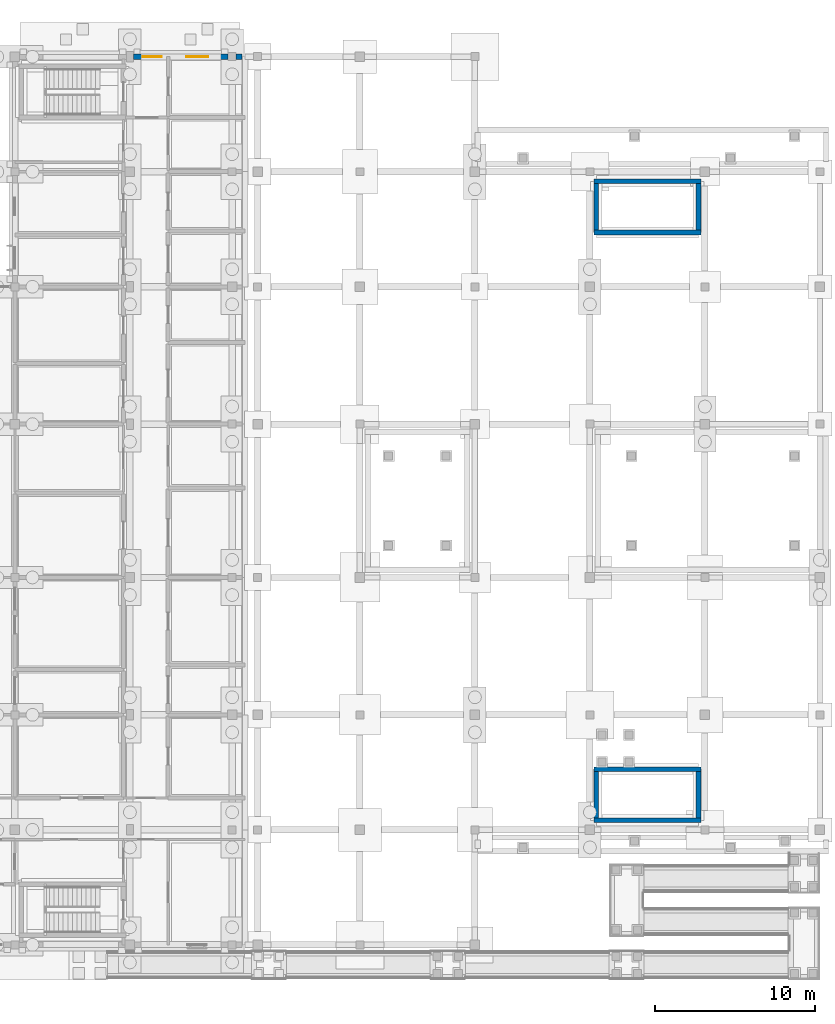
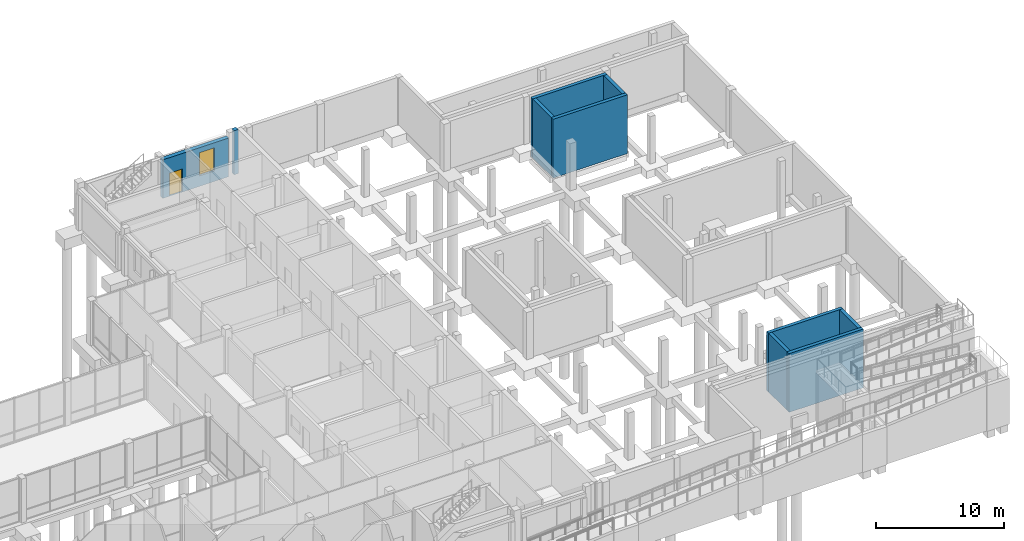
# One storey, part 83 of 104: 10 walls, 1 door, 1 window, 2 openings.
"""IFC4 building model written with IfcOpenShell, lengths in metres."""

from ifc_helpers import new_model, si_unit, direction, frame, frame_2d, origin, place, context, subcontext, project, spatial, rectangle, extrude, material, layer, layer_set, type_object, element, fill, save


model = new_model("IFC4")

# Units and contexts
model_context = context("Model", 3, precision=1e-05, world=origin(), true_north=direction((0.0, 1.0)))
body_context = subcontext(model_context, "Body", "Model", "MODEL_VIEW")
ifc_project = project(units=[si_unit("LENGTHUNIT", "METRE"), si_unit("AREAUNIT", "SQUARE_METRE"), si_unit("VOLUMEUNIT", "CUBIC_METRE"), si_unit("PLANEANGLEUNIT", "RADIAN"), si_unit("MASSUNIT", "GRAM", prefix="KILO")], contexts=[model_context])

# Site, building, storey
site_placement = place(None, origin())
site = spatial("IfcSite", under=ifc_project, at=site_placement, CompositionType="ELEMENT")
building_placement = place(site_placement, origin())
building = spatial("IfcBuilding", under=site, at=building_placement, Name="Hawrajan Terrace Health Centre", CompositionType="ELEMENT")
storey_placement = place(building_placement, origin())
storey = spatial("IfcBuildingStorey", under=building, at=storey_placement, Name="L00", CompositionType="ELEMENT", Elevation=0.0)

# Wall, openings, window, door
ifc_material_1 = material(Name="Precast concrete C40/50", Category="concrete")
ifc_layer_1 = layer(ifc_material_1, 0.360107421875)
ifc_layer_set_1 = layer_set([ifc_layer_1], Name="Precast concrete C40/50")
wall_type_1 = type_object("IfcWallType", Name="CoralPodiumWall_360", PredefinedType="SOLIDWALL", material=ifc_layer_set_1)
wall_1_placement = place(storey_placement, frame((122.425048828125, 59.800048828125, 0.0), z_axis=(0.0, 0.0, 1.0), x_axis=(1.0, 0.0, 0.0)))
wall_1 = element("IfcWall", 1, at=wall_1_placement, inside=storey, type_object=wall_type_1, Name="Exterior wall EW-L00-H15-07-1", PredefinedType="SOLIDWALL", context=body_context, shape_type="SweptSolid", body=[
    extrude(rectangle(XDim=5.925048828125, YDim=0.360107421875, at=frame_2d((2.96240234375, 0.0))), origin(), (0.0, 0.0, 1.0), 3.679931640625),
])
opening_1_placement = place(wall_1_placement, frame((0.5849609375, 0.0, 0.0)))
opening_1 = element("IfcOpeningElement", 2, at=opening_1_placement, cuts=wall_1, Name="Opening D-L00-E013", PredefinedType="OPENING", context=body_context, shape_type="SweptSolid", body=[
    extrude(rectangle(XDim=1.179931640625, YDim=2.199951171875, at=frame_2d((0.58984375, 1.10009765625))), frame((0.0, 0.18994140625, 0.0), z_axis=(0.0, -1.0, 0.0), x_axis=(1.0, 0.0, 0.0)), (0.0, 0.0, 1.0), 0.380126953125),
])
opening_2_placement = place(wall_1_placement, frame((3.31494140625, 0.0, 1.0)))
opening_2 = element("IfcOpeningElement", 3, at=opening_2_placement, cuts=wall_1, Name="Opening W-L00-043", PredefinedType="OPENING", context=body_context, shape_type="SweptSolid", body=[
    extrude(rectangle(XDim=1.35009765625, YDim=2.199951171875, at=frame_2d((0.675048828125, 1.10009765625))), frame((0.0, 0.18994140625, 0.0), z_axis=(0.0, -1.0, 0.0), x_axis=(1.0, 0.0, 0.0)), (0.0, 0.0, 1.0), 0.380126953125),
])
ifc_material_2 = material(Name="Anodized bronze frame with double low-E glazing", Category="glass")
window_type = type_object("IfcWindowType", Name="FacadeWindow_1350x2200", PartitioningType="SINGLE_PANEL", PredefinedType="WINDOW", material=ifc_material_2)
window_placement = place(opening_2_placement, origin())
window = element("IfcWindow", 4, at=window_placement, inside=storey, type_object=window_type, Name="Window W-L00-043", OverallHeight=2.199951171875, OverallWidth=1.35009765625, PartitioningType="SINGLE_PANEL", PredefinedType="WINDOW", context=body_context, shape_type="SweptSolid", body=[
    extrude(rectangle(XDim=1.35009765625, YDim=2.199951171875, at=frame_2d((0.675048828125, 1.10009765625))), frame((0.0, 0.030029296875, 0.0), z_axis=(0.0, -1.0, 0.0), x_axis=(1.0, 0.0, 0.0)), (0.0, 0.0, 1.0), 0.06005859375),
])
fill(opening_2, window)
ifc_material_3 = material(Name="Anodized bronze thermally broken fire-rated glazed door")
door_type = type_object("IfcDoorType", Name="StairDischargeDoor_1180x2200", OperationType="NOTDEFINED", PredefinedType="DOOR", material=ifc_material_3)
door_placement = place(opening_1_placement, origin())
door = element("IfcDoor", 5, at=door_placement, inside=storey, type_object=door_type, Name="Exit Passage S7 Final Exit Door D-L00-E013", OperationType="SINGLE_SWING_LEFT", OverallHeight=2.199951171875, OverallWidth=1.179931640625, PredefinedType="DOOR", context=body_context, shape_type="SweptSolid", body=[
    extrude(rectangle(XDim=1.179931640625, YDim=2.199951171875, at=frame_2d((0.58984375, 1.10009765625))), frame((0.0, 0.02490234375, 0.0), z_axis=(0.0, -1.0, 0.0), x_axis=(1.0, 0.0, 0.0)), (0.0, 0.0, 1.0), 0.050048828125),
])
fill(opening_1, door)

# Walls
wall_2_placement = place(storey_placement, frame((128.85009765625, 59.800048828125, 0.0), z_axis=(0.0, 0.0, 1.0), x_axis=(1.0, 0.0, 0.0)))
element("IfcWall", 6, at=wall_2_placement, inside=storey, type_object=wall_type_1, Name="Exterior wall EW-L00-H15-07-2", PredefinedType="SOLIDWALL", context=body_context, shape_type="SweptSolid", body=[
    extrude(rectangle(XDim=0.375, YDim=0.360107421875, at=frame_2d((0.1875, 0.0))), origin(), (0.0, 0.0, 1.0), 4.199951171875),
])
ifc_material_4 = material(Name="Concrete C40/50", Category="concrete")
ifc_layer_2 = layer(ifc_material_4, 0.300048828125)
ifc_layer_set_2 = layer_set([ifc_layer_2], Name="Concrete C40/50")
wall_type_2 = type_object("IfcWallType", Name="CoreShearWall_RC300", PredefinedType="SHEAR", material=ifc_layer_set_2)
for number, where, z_axis, x_axis, name in (
    (7, (151.25, 12.0, -1.5), (0.0, 0.0, 1.0), (1.0, 0.0, 0.0), "Core shear wall SW-S8-L00-S"),
    (8, (151.25, 15.199951171875, -1.5), (0.0, 0.0, 1.0), (1.0, 0.0, 0.0), "Core shear wall SW-S8-L00-N"),
):
    element("IfcWall", number, at=place(storey_placement, frame(where, z_axis=z_axis, x_axis=x_axis)), inside=storey, type_object=wall_type_2, Name=name, PredefinedType="SHEAR", context=body_context, shape_type="SweptSolid", body=[
        extrude(rectangle(XDim=6.699951171875, YDim=0.300048828125, at=frame_2d((3.35009765625, 0.0))), origin(), (0.0, 0.0, 1.0), 5.60009765625),
    ])
for number, where, z_axis, x_axis, name in (
    (9, (151.39990234375, 12.14990234375, -1.5), (0.0, 0.0, 1.0), (0.0, 1.0, 0.0), "Core shear wall SW-S8-L00-W"),
    (10, (157.800048828125, 12.14990234375, -1.5), (0.0, 0.0, 1.0), (0.0, 1.0, 0.0), "Core shear wall SW-S8-L00-E"),
):
    element("IfcWall", number, at=place(storey_placement, frame(where, z_axis=z_axis, x_axis=x_axis)), inside=storey, type_object=wall_type_2, Name=name, PredefinedType="SHEAR", context=body_context, shape_type="SweptSolid", body=[
        extrude(rectangle(XDim=2.900146484375, YDim=0.300048828125, at=frame_2d((1.4501953125, 0.0))), origin(), (0.0, 0.0, 1.0), 5.60009765625),
    ])
for number, where, z_axis, x_axis, name in (
    (11, (151.25, 48.800048828125, -1.5), (0.0, 0.0, 1.0), (1.0, 0.0, 0.0), "Core shear wall SW-S9-L00-S"),
    (12, (151.25, 52.0, -1.5), (0.0, 0.0, 1.0), (1.0, 0.0, 0.0), "Core shear wall SW-S9-L00-N"),
):
    element("IfcWall", number, at=place(storey_placement, frame(where, z_axis=z_axis, x_axis=x_axis)), inside=storey, type_object=wall_type_2, Name=name, PredefinedType="SHEAR", context=body_context, shape_type="SweptSolid", body=[
        extrude(rectangle(XDim=6.699951171875, YDim=0.300048828125, at=frame_2d((3.35009765625, 0.0))), origin(), (0.0, 0.0, 1.0), 5.60009765625),
    ])
for number, where, z_axis, x_axis, name in (
    (13, (151.39990234375, 48.949951171875, -1.5), (0.0, 0.0, 1.0), (0.0, 1.0, 0.0), "Core shear wall SW-S9-L00-W"),
    (14, (157.800048828125, 48.949951171875, -1.5), (0.0, 0.0, 1.0), (0.0, 1.0, 0.0), "Core shear wall SW-S9-L00-E"),
):
    element("IfcWall", number, at=place(storey_placement, frame(where, z_axis=z_axis, x_axis=x_axis)), inside=storey, type_object=wall_type_2, Name=name, PredefinedType="SHEAR", context=body_context, shape_type="SweptSolid", body=[
        extrude(rectangle(XDim=2.900146484375, YDim=0.300048828125, at=frame_2d((1.4501953125, 0.0))), origin(), (0.0, 0.0, 1.0), 5.60009765625),
    ])

save(model, "model.ifc")
